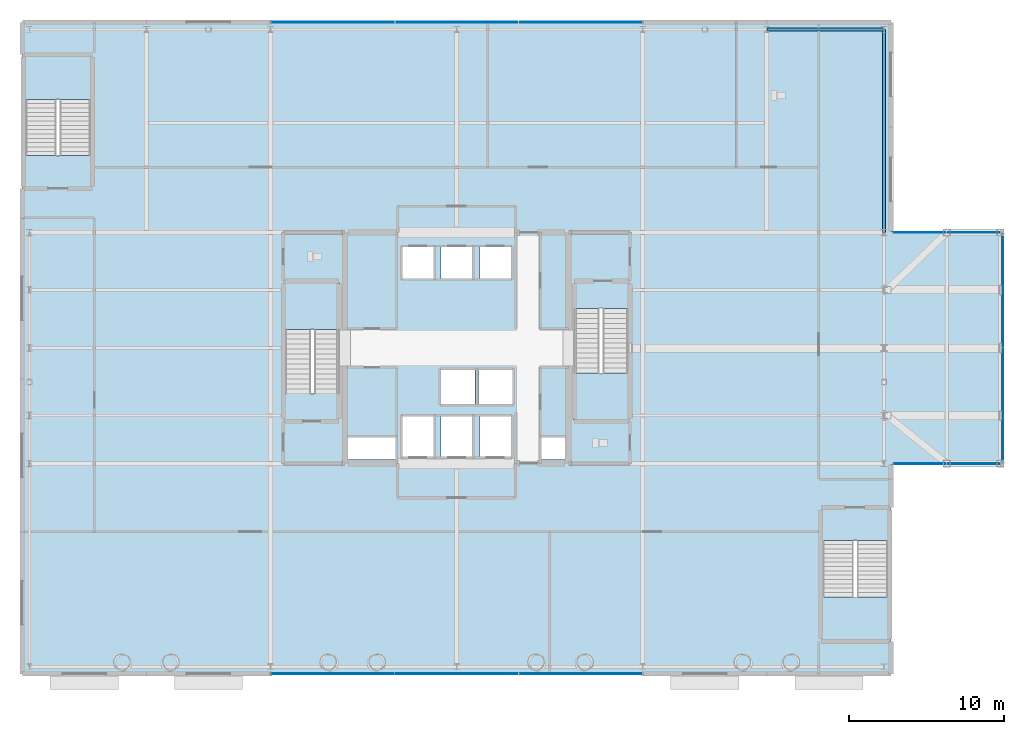
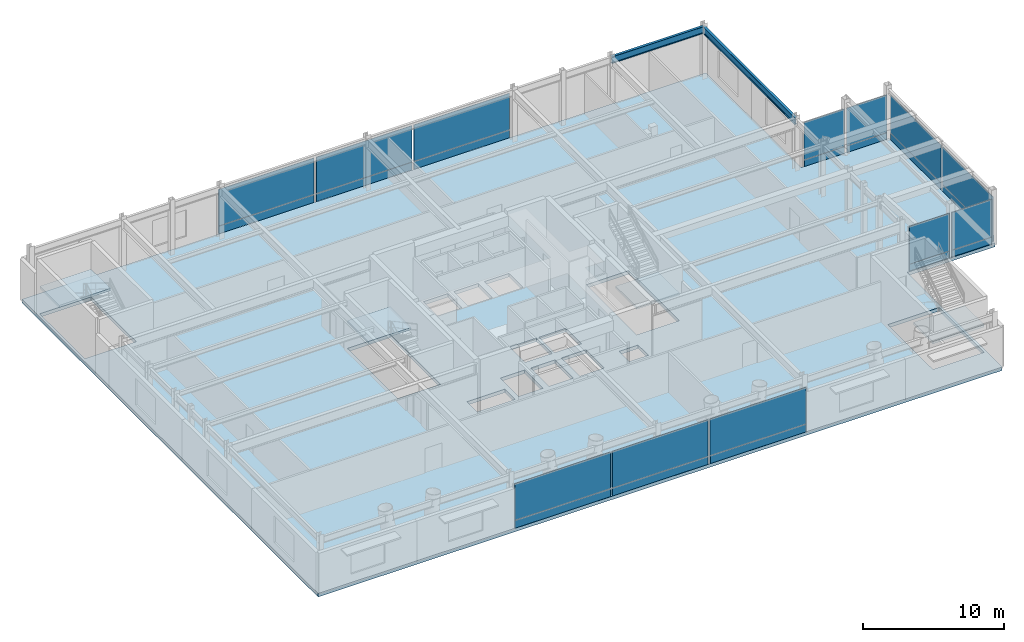
# One storey, part 17 of 26: 24 plates, 5 slabs, 2 beams, 9 elements without a shape of their own.
"""IFC4 building model written with IfcOpenShell, lengths in metres."""

from ifc_helpers import new_model, si_unit, direction, frame, origin, origin_2d, place, context, subcontext, project, spatial, polyline, rectangle, i_section, outline, extrude, material, layer, layer_set, material_profile, profile_set, type_object, element, aggregate, save


model = new_model("IFC4")

# Units and contexts
model_context = context("Model", 3, precision=1e-05, world=origin(), true_north=direction((0.0, 1.0)))
body_context = subcontext(model_context, "Body", "Model", "MODEL_VIEW")
ifc_project = project(units=[si_unit("LENGTHUNIT", "METRE"), si_unit("AREAUNIT", "SQUARE_METRE"), si_unit("VOLUMEUNIT", "CUBIC_METRE"), si_unit("PLANEANGLEUNIT", "RADIAN"), si_unit("MASSUNIT", "GRAM", prefix="KILO")], contexts=[model_context])

# Site, building, storey
site_placement = place(None, origin())
site = spatial("IfcSite", under=ifc_project, at=site_placement, CompositionType="ELEMENT")
building_placement = place(site_placement, origin())
building = spatial("IfcBuilding", under=site, at=building_placement, Name="Veldorina Hangang Commons", CompositionType="ELEMENT")
storey_placement = place(building_placement, frame((0.0, 0.0, 5.199951171875)))
storey = spatial("IfcBuildingStorey", under=building, at=storey_placement, Name="L01", CompositionType="ELEMENT", Elevation=5.199951171875)

# Beams
ifc_material_1 = material(Name="Steel SM420-TMC", Category="steel")
ifc_material_profile = material_profile(ifc_material_1, i_section(OverallWidth=0.199951171875, OverallDepth=0.60009765625, WebThickness=0.010986328125, FlangeThickness=0.01708984375, FilletRadius=0.01806640625, at=origin_2d()), Name="H-600x200x11x17")
ifc_profile_set = profile_set([ifc_material_profile], Name="Steel SM420-TMC")
beam_type = type_object("IfcBeamType", Name="BM-SPN600", PredefinedType="SPANDREL", material=ifc_profile_set)
beam_1_placement = place(storey_placement, frame((52.0, 44.550048828125, 4.199951171875), z_axis=(1.0, 0.0, 0.0), x_axis=(0.0, 1.0, 0.0)))
element("IfcBeam", 1, at=beam_1_placement, inside=storey, type_object=beam_type, Name="L01 north spandrel beam 6", PredefinedType="SPANDREL", context=body_context, shape_type="SweptSolid", body=[
    extrude(i_section(OverallWidth=0.199951171875, OverallDepth=0.60009765625, WebThickness=0.010986328125, FlangeThickness=0.01708984375, FilletRadius=0.01806640625, at=origin_2d()), origin(), (0.0, 0.0, 1.0), 7.550048828125),
])
beam_2_placement = place(storey_placement, frame((59.550048828125, 31.449951171875, 4.199951171875), z_axis=(0.0, 1.0, 0.0), x_axis=(-1.0, 0.0, 0.0)))
element("IfcBeam", 2, at=beam_2_placement, inside=storey, type_object=beam_type, Name="L01 east spandrel beam 6", PredefinedType="SPANDREL", context=body_context, shape_type="SweptSolid", body=[
    extrude(i_section(OverallWidth=0.199951171875, OverallDepth=0.60009765625, WebThickness=0.010986328125, FlangeThickness=0.01708984375, FilletRadius=0.01806640625, at=origin_2d()), origin(), (0.0, 0.0, 1.0), 13.10009765625),
])

# Curtain wall, plates
ifc_material_2 = material(Name="Glass Low-E Triple IGU", Category="glass")
ifc_layer_1 = layer(ifc_material_2, 0.179931640625)
ifc_layer_set_1 = layer_set([ifc_layer_1], Name="Glass Low-E Triple IGU")
curtain_wall_type_1 = type_object("IfcCurtainWallType", Name="CW-SYS-POD", PredefinedType="NOTDEFINED", material=ifc_layer_set_1)
curtain_wall_1_placement = place(storey_placement, origin())
curtain_wall_1 = element("IfcCurtainWall", 3, at=curtain_wall_1_placement, inside=storey, type_object=curtain_wall_type_1, Name="L01 unitised curtain wall CW-L01-S-CTR", PredefinedType="NOTDEFINED")
ifc_material_3 = material(Name="Stone Roman Travertine", Category="masonry")
ifc_layer_2 = layer(ifc_material_3, 0.054931640625)
ifc_layer_set_2 = layer_set([ifc_layer_2], Name="Stone Roman Travertine")
plate_type_1 = type_object("IfcPlateType", Name="CW-PNL-SPN", PredefinedType="USERDEFINED", material=ifc_layer_set_2)
plate_1_placement = place(storey_placement, frame((24.0, 3.0, 0.025146484375), z_axis=(0.0, 0.0, 1.0), x_axis=(1.0, 0.0, 0.0)))
plate_1 = element("IfcPlate", 4, at=plate_1_placement, type_object=plate_type_1, Name="CW-L01-S-CTR facet 1 travertine spandrel panel", ObjectType="SPANDREL", PredefinedType="USERDEFINED", context=body_context, shape_type="SweptSolid", body=[
    extrude(rectangle(XDim=7.820068359375, YDim=0.054931640625, at=origin_2d()), origin(), (0.0, 0.0, 1.0), 0.669921875),
])
plate_2_placement = place(storey_placement, frame((32.0, 3.0, 0.025146484375), z_axis=(0.0, 0.0, 1.0), x_axis=(1.0, 0.0, 0.0)))
plate_2 = element("IfcPlate", 5, at=plate_2_placement, type_object=plate_type_1, Name="CW-L01-S-CTR facet 2 travertine spandrel panel", ObjectType="SPANDREL", PredefinedType="USERDEFINED", context=body_context, shape_type="SweptSolid", body=[
    extrude(rectangle(XDim=7.820068359375, YDim=0.054931640625, at=origin_2d()), origin(), (0.0, 0.0, 1.0), 0.669921875),
])
plate_3_placement = place(storey_placement, frame((40.0, 3.0, 0.025146484375), z_axis=(0.0, 0.0, 1.0), x_axis=(1.0, 0.0, 0.0)))
plate_3 = element("IfcPlate", 6, at=plate_3_placement, type_object=plate_type_1, Name="CW-L01-S-CTR facet 3 travertine spandrel panel", ObjectType="SPANDREL", PredefinedType="USERDEFINED", context=body_context, shape_type="SweptSolid", body=[
    extrude(rectangle(XDim=7.820068359375, YDim=0.054931640625, at=origin_2d()), origin(), (0.0, 0.0, 1.0), 0.669921875),
])

curtain_wall_2_placement = place(storey_placement, origin())
curtain_wall_2 = element("IfcCurtainWall", 7, at=curtain_wall_2_placement, inside=storey, type_object=curtain_wall_type_1, Name="L01 unitised curtain wall CW-L01-N-CTR", PredefinedType="NOTDEFINED")
plate_4_placement = place(storey_placement, frame((40.0, 45.0, 0.025146484375), z_axis=(0.0, 0.0, 1.0), x_axis=(-1.0, 0.0, 0.0)))
plate_4 = element("IfcPlate", 8, at=plate_4_placement, type_object=plate_type_1, Name="CW-L01-N-CTR facet 1 travertine spandrel panel", ObjectType="SPANDREL", PredefinedType="USERDEFINED", context=body_context, shape_type="SweptSolid", body=[
    extrude(rectangle(XDim=7.820068359375, YDim=0.054931640625, at=origin_2d()), origin(), (0.0, 0.0, 1.0), 0.669921875),
])
plate_5_placement = place(storey_placement, frame((32.0, 45.0, 0.025146484375), z_axis=(0.0, 0.0, 1.0), x_axis=(-1.0, 0.0, 0.0)))
plate_5 = element("IfcPlate", 9, at=plate_5_placement, type_object=plate_type_1, Name="CW-L01-N-CTR facet 2 travertine spandrel panel", ObjectType="SPANDREL", PredefinedType="USERDEFINED", context=body_context, shape_type="SweptSolid", body=[
    extrude(rectangle(XDim=7.820068359375, YDim=0.054931640625, at=origin_2d()), origin(), (0.0, 0.0, 1.0), 0.669921875),
])
plate_6_placement = place(storey_placement, frame((24.0, 45.0, 0.025146484375), z_axis=(0.0, 0.0, 1.0), x_axis=(-1.0, 0.0, 0.0)))
plate_6 = element("IfcPlate", 10, at=plate_6_placement, type_object=plate_type_1, Name="CW-L01-N-CTR facet 3 travertine spandrel panel", ObjectType="SPANDREL", PredefinedType="USERDEFINED", context=body_context, shape_type="SweptSolid", body=[
    extrude(rectangle(XDim=7.820068359375, YDim=0.054931640625, at=origin_2d()), origin(), (0.0, 0.0, 1.0), 0.669921875),
])

ifc_material_4 = material(Name="Glass Low-E Solar Control", Category="glass")
ifc_layer_3 = layer(ifc_material_4, 0.179931640625)
ifc_layer_set_3 = layer_set([ifc_layer_3], Name="Glass Low-E Solar Control")
curtain_wall_type_2 = type_object("IfcCurtainWallType", Name="CW-SYS-CANT", PredefinedType="NOTDEFINED", material=ifc_layer_set_3)
curtain_wall_3_placement = place(storey_placement, origin())
curtain_wall_3 = element("IfcCurtainWall", 11, at=curtain_wall_3_placement, inside=storey, type_object=curtain_wall_type_2, Name="L01 unitised curtain wall CW-L01-CANT-S", PredefinedType="NOTDEFINED")
plate_7_placement = place(storey_placement, frame((61.860107421875, 16.550048828125, 0.02490234375), z_axis=(0.0, 0.0, 1.0), x_axis=(1.0, 0.0, 0.0)))
plate_7 = element("IfcPlate", 12, at=plate_7_placement, type_object=plate_type_1, Name="CW-L01-CANT-S facet 1 travertine spandrel panel", ObjectType="SPANDREL", PredefinedType="USERDEFINED", context=body_context, shape_type="SweptSolid", body=[
    extrude(rectangle(XDim=3.300048828125, YDim=0.054931640625, at=origin_2d()), origin(), (0.0, 0.0, 1.0), 0.570068359375),
])
plate_8_placement = place(storey_placement, frame((65.340087890625, 16.550048828125, 0.02490234375), z_axis=(0.0, 0.0, 1.0), x_axis=(1.0, 0.0, 0.0)))
plate_8 = element("IfcPlate", 13, at=plate_8_placement, type_object=plate_type_1, Name="CW-L01-CANT-S facet 2 travertine spandrel panel", ObjectType="SPANDREL", PredefinedType="USERDEFINED", context=body_context, shape_type="SweptSolid", body=[
    extrude(rectangle(XDim=3.300048828125, YDim=0.054931640625, at=origin_2d()), origin(), (0.0, 0.0, 1.0), 0.570068359375),
])

curtain_wall_4_placement = place(storey_placement, origin())
curtain_wall_4 = element("IfcCurtainWall", 14, at=curtain_wall_4_placement, inside=storey, type_object=curtain_wall_type_2, Name="L01 unitised curtain wall CW-L01-CANT-E", PredefinedType="NOTDEFINED")
plate_9_placement = place(storey_placement, frame((67.199951171875, 20.31005859375, 0.02490234375), z_axis=(0.0, 0.0, 1.0), x_axis=(0.0, 1.0, 0.0)))
plate_9 = element("IfcPlate", 15, at=plate_9_placement, type_object=plate_type_1, Name="CW-L01-CANT-E facet 1 travertine spandrel panel", ObjectType="SPANDREL", PredefinedType="USERDEFINED", context=body_context, shape_type="SweptSolid", body=[
    extrude(rectangle(XDim=7.199951171875, YDim=0.054931640625, at=origin_2d()), origin(), (0.0, 0.0, 1.0), 0.570068359375),
])
plate_10_placement = place(storey_placement, frame((67.199951171875, 27.68994140625, 0.02490234375), z_axis=(0.0, 0.0, 1.0), x_axis=(0.0, 1.0, 0.0)))
plate_10 = element("IfcPlate", 16, at=plate_10_placement, type_object=plate_type_1, Name="CW-L01-CANT-E facet 2 travertine spandrel panel", ObjectType="SPANDREL", PredefinedType="USERDEFINED", context=body_context, shape_type="SweptSolid", body=[
    extrude(rectangle(XDim=7.199951171875, YDim=0.054931640625, at=origin_2d()), origin(), (0.0, 0.0, 1.0), 0.570068359375),
])

curtain_wall_5_placement = place(storey_placement, origin())
curtain_wall_5 = element("IfcCurtainWall", 17, at=curtain_wall_5_placement, inside=storey, type_object=curtain_wall_type_2, Name="L01 unitised curtain wall CW-L01-CANT-N", PredefinedType="NOTDEFINED")
plate_11_placement = place(storey_placement, frame((65.340087890625, 31.449951171875, 0.02490234375), z_axis=(0.0, 0.0, 1.0), x_axis=(-1.0, 0.0, 0.0)))
plate_11 = element("IfcPlate", 18, at=plate_11_placement, type_object=plate_type_1, Name="CW-L01-CANT-N facet 1 travertine spandrel panel", ObjectType="SPANDREL", PredefinedType="USERDEFINED", context=body_context, shape_type="SweptSolid", body=[
    extrude(rectangle(XDim=3.300048828125, YDim=0.054931640625, at=origin_2d()), origin(), (0.0, 0.0, 1.0), 0.570068359375),
])
plate_12_placement = place(storey_placement, frame((61.860107421875, 31.449951171875, 0.02490234375), z_axis=(0.0, 0.0, 1.0), x_axis=(-1.0, 0.0, 0.0)))
plate_12 = element("IfcPlate", 19, at=plate_12_placement, type_object=plate_type_1, Name="CW-L01-CANT-N facet 2 travertine spandrel panel", ObjectType="SPANDREL", PredefinedType="USERDEFINED", context=body_context, shape_type="SweptSolid", body=[
    extrude(rectangle(XDim=3.300048828125, YDim=0.054931640625, at=origin_2d()), origin(), (0.0, 0.0, 1.0), 0.570068359375),
])

# Plate
ifc_layer_4 = layer(ifc_material_2, 0.0400390625)
ifc_layer_set_4 = layer_set([ifc_layer_4], Name="Glass Low-E Triple IGU")
plate_type_2 = type_object("IfcPlateType", Name="CW-PNL-VIS", PredefinedType="CURTAIN_PANEL", material=ifc_layer_set_4)
plate_13_placement = place(storey_placement, frame((24.0, 3.0, 0.715087890625), z_axis=(0.0, 0.0, 1.0), x_axis=(1.0, 0.0, 0.0)))
plate_13 = element("IfcPlate", 20, at=plate_13_placement, type_object=plate_type_2, Name="CW-L01-S-CTR facet 1 glazed vision panel", PredefinedType="CURTAIN_PANEL", context=body_context, shape_type="SweptSolid", body=[
    extrude(rectangle(XDim=7.820068359375, YDim=0.0400390625, at=origin_2d()), origin(), (0.0, 0.0, 1.0), 3.14990234375),
])

plate_14_placement = place(storey_placement, frame((32.0, 3.0, 0.715087890625), z_axis=(0.0, 0.0, 1.0), x_axis=(1.0, 0.0, 0.0)))
plate_14 = element("IfcPlate", 21, at=plate_14_placement, type_object=plate_type_2, Name="CW-L01-S-CTR facet 2 glazed vision panel", PredefinedType="CURTAIN_PANEL", context=body_context, shape_type="SweptSolid", body=[
    extrude(rectangle(XDim=7.820068359375, YDim=0.0400390625, at=origin_2d()), origin(), (0.0, 0.0, 1.0), 3.14990234375),
])

plate_15_placement = place(storey_placement, frame((40.0, 3.0, 0.715087890625), z_axis=(0.0, 0.0, 1.0), x_axis=(1.0, 0.0, 0.0)))
plate_15 = element("IfcPlate", 22, at=plate_15_placement, type_object=plate_type_2, Name="CW-L01-S-CTR facet 3 glazed vision panel", PredefinedType="CURTAIN_PANEL", context=body_context, shape_type="SweptSolid", body=[
    extrude(rectangle(XDim=7.820068359375, YDim=0.0400390625, at=origin_2d()), origin(), (0.0, 0.0, 1.0), 3.14990234375),
])

aggregate(curtain_wall_1, [plate_1, plate_13, plate_2, plate_14, plate_3, plate_15])

plate_16_placement = place(storey_placement, frame((40.0, 45.0, 0.715087890625), z_axis=(0.0, 0.0, 1.0), x_axis=(-1.0, 0.0, 0.0)))
plate_16 = element("IfcPlate", 23, at=plate_16_placement, type_object=plate_type_2, Name="CW-L01-N-CTR facet 1 glazed vision panel", PredefinedType="CURTAIN_PANEL", context=body_context, shape_type="SweptSolid", body=[
    extrude(rectangle(XDim=7.820068359375, YDim=0.0400390625, at=origin_2d()), origin(), (0.0, 0.0, 1.0), 3.14990234375),
])

plate_17_placement = place(storey_placement, frame((32.0, 45.0, 0.715087890625), z_axis=(0.0, 0.0, 1.0), x_axis=(-1.0, 0.0, 0.0)))
plate_17 = element("IfcPlate", 24, at=plate_17_placement, type_object=plate_type_2, Name="CW-L01-N-CTR facet 2 glazed vision panel", PredefinedType="CURTAIN_PANEL", context=body_context, shape_type="SweptSolid", body=[
    extrude(rectangle(XDim=7.820068359375, YDim=0.0400390625, at=origin_2d()), origin(), (0.0, 0.0, 1.0), 3.14990234375),
])

plate_18_placement = place(storey_placement, frame((24.0, 45.0, 0.715087890625), z_axis=(0.0, 0.0, 1.0), x_axis=(-1.0, 0.0, 0.0)))
plate_18 = element("IfcPlate", 25, at=plate_18_placement, type_object=plate_type_2, Name="CW-L01-N-CTR facet 3 glazed vision panel", PredefinedType="CURTAIN_PANEL", context=body_context, shape_type="SweptSolid", body=[
    extrude(rectangle(XDim=7.820068359375, YDim=0.0400390625, at=origin_2d()), origin(), (0.0, 0.0, 1.0), 3.14990234375),
])

aggregate(curtain_wall_2, [plate_4, plate_16, plate_5, plate_17, plate_6, plate_18])

plate_19_placement = place(storey_placement, frame((61.860107421875, 16.550048828125, 0.614990234375), z_axis=(0.0, 0.0, 1.0), x_axis=(1.0, 0.0, 0.0)))
plate_19 = element("IfcPlate", 26, at=plate_19_placement, type_object=plate_type_2, Name="CW-L01-CANT-S facet 1 glazed vision panel", PredefinedType="CURTAIN_PANEL", context=body_context, shape_type="SweptSolid", body=[
    extrude(rectangle(XDim=3.300048828125, YDim=0.0400390625, at=origin_2d()), origin(), (0.0, 0.0, 1.0), 3.25),
])

plate_20_placement = place(storey_placement, frame((65.340087890625, 16.550048828125, 0.614990234375), z_axis=(0.0, 0.0, 1.0), x_axis=(1.0, 0.0, 0.0)))
plate_20 = element("IfcPlate", 27, at=plate_20_placement, type_object=plate_type_2, Name="CW-L01-CANT-S facet 2 glazed vision panel", PredefinedType="CURTAIN_PANEL", context=body_context, shape_type="SweptSolid", body=[
    extrude(rectangle(XDim=3.300048828125, YDim=0.0400390625, at=origin_2d()), origin(), (0.0, 0.0, 1.0), 3.25),
])

aggregate(curtain_wall_3, [plate_7, plate_19, plate_8, plate_20])

plate_21_placement = place(storey_placement, frame((67.199951171875, 20.31005859375, 0.614990234375), z_axis=(0.0, 0.0, 1.0), x_axis=(0.0, 1.0, 0.0)))
plate_21 = element("IfcPlate", 28, at=plate_21_placement, type_object=plate_type_2, Name="CW-L01-CANT-E facet 1 glazed vision panel", PredefinedType="CURTAIN_PANEL", context=body_context, shape_type="SweptSolid", body=[
    extrude(rectangle(XDim=7.199951171875, YDim=0.0400390625, at=origin_2d()), origin(), (0.0, 0.0, 1.0), 3.25),
])

plate_22_placement = place(storey_placement, frame((67.199951171875, 27.68994140625, 0.614990234375), z_axis=(0.0, 0.0, 1.0), x_axis=(0.0, 1.0, 0.0)))
plate_22 = element("IfcPlate", 29, at=plate_22_placement, type_object=plate_type_2, Name="CW-L01-CANT-E facet 2 glazed vision panel", PredefinedType="CURTAIN_PANEL", context=body_context, shape_type="SweptSolid", body=[
    extrude(rectangle(XDim=7.199951171875, YDim=0.0400390625, at=origin_2d()), origin(), (0.0, 0.0, 1.0), 3.25),
])

aggregate(curtain_wall_4, [plate_9, plate_21, plate_10, plate_22])

plate_23_placement = place(storey_placement, frame((65.340087890625, 31.449951171875, 0.614990234375), z_axis=(0.0, 0.0, 1.0), x_axis=(-1.0, 0.0, 0.0)))
plate_23 = element("IfcPlate", 30, at=plate_23_placement, type_object=plate_type_2, Name="CW-L01-CANT-N facet 1 glazed vision panel", PredefinedType="CURTAIN_PANEL", context=body_context, shape_type="SweptSolid", body=[
    extrude(rectangle(XDim=3.300048828125, YDim=0.0400390625, at=origin_2d()), origin(), (0.0, 0.0, 1.0), 3.25),
])

plate_24_placement = place(storey_placement, frame((61.860107421875, 31.449951171875, 0.614990234375), z_axis=(0.0, 0.0, 1.0), x_axis=(-1.0, 0.0, 0.0)))
plate_24 = element("IfcPlate", 31, at=plate_24_placement, type_object=plate_type_2, Name="CW-L01-CANT-N facet 2 glazed vision panel", PredefinedType="CURTAIN_PANEL", context=body_context, shape_type="SweptSolid", body=[
    extrude(rectangle(XDim=3.300048828125, YDim=0.0400390625, at=origin_2d()), origin(), (0.0, 0.0, 1.0), 3.25),
])

aggregate(curtain_wall_5, [plate_11, plate_23, plate_12, plate_24])

# Slab
ifc_material_5 = material(Name="Concrete C45/55", Category="concrete")
ifc_layer_5 = layer(ifc_material_5, 0.300048828125)
ifc_layer_set_5 = layer_set([ifc_layer_5], Name="Concrete C45/55")
slab_type_1 = type_object("IfcSlabType", Name="SL-FLR-300", PredefinedType="FLOOR", material=ifc_layer_set_5)
slab_1_placement = place(storey_placement, frame((0.0, 0.0, -0.300048828125)))
element("IfcSlab", 32, at=slab_1_placement, inside=storey, type_object=slab_type_1, Name="L01 podium structural floor slab", PredefinedType="FLOOR", context=body_context, shape_type="SweptSolid", body=[
    extrude(outline(polyline([(4.0, 3.0), (60.0, 3.0), (60.0, 16.5), (67.199951171875, 16.5), (67.199951171875, 31.5), (60.0, 31.5), (60.0, 45.0), (4.0, 45.0), (4.0, 3.0)]), holes=[polyline([(20.949951171875, 21.05810546875), (20.949951171875, 28.199951171875), (24.449951171875, 28.199951171875), (24.449951171875, 21.05810546875), (20.949951171875, 21.05810546875)]), polyline([(43.050048828125, 26.5419921875), (43.050048828125, 19.39990234375), (39.550048828125, 19.39990234375), (39.550048828125, 26.5419921875), (43.050048828125, 26.5419921875)]), polyline([(4.199951171875, 36.407958984375), (4.199951171875, 42.800048828125), (8.39990234375, 42.800048828125), (8.39990234375, 36.407958984375), (4.199951171875, 36.407958984375)]), polyline([(59.800048828125, 11.592041015625), (59.800048828125, 5.199951171875), (55.60009765625, 5.199951171875), (55.60009765625, 11.592041015625), (59.800048828125, 11.592041015625)]), polyline([(28.5, 30.5), (30.5, 30.5), (30.5, 28.5), (28.5, 28.5), (28.5, 30.5)]), polyline([(31.0, 30.5), (33.0, 30.5), (33.0, 28.5), (31.0, 28.5), (31.0, 30.5)]), polyline([(33.5, 30.5), (35.5, 30.5), (35.5, 28.5), (33.5, 28.5), (33.5, 30.5)]), polyline([(31.0, 22.60009765625), (33.199951171875, 22.60009765625), (33.199951171875, 20.39990234375), (31.0, 20.39990234375), (31.0, 22.60009765625)]), polyline([(33.39990234375, 22.60009765625), (35.60009765625, 22.60009765625), (35.60009765625, 20.39990234375), (33.39990234375, 20.39990234375), (33.39990234375, 22.60009765625)]), polyline([(28.5, 19.60009765625), (30.5, 19.60009765625), (30.5, 17.0), (28.5, 17.0), (28.5, 19.60009765625)]), polyline([(31.0, 19.60009765625), (33.0, 19.60009765625), (33.0, 17.0), (31.0, 17.0), (31.0, 19.60009765625)]), polyline([(33.5, 19.60009765625), (35.5, 19.60009765625), (35.5, 17.0), (33.5, 17.0), (33.5, 19.60009765625)]), polyline([(25.0, 18.25), (28.10009765625, 18.25), (28.10009765625, 16.800048828125), (25.0, 16.800048828125), (25.0, 18.25)]), polyline([(37.449951171875, 18.25), (39.0, 18.25), (39.0, 16.800048828125), (37.449951171875, 16.800048828125), (37.449951171875, 18.25)])]), origin(), (0.0, 0.0, 1.0), 0.300048828125),
])

# Stair, slab
ifc_material_6 = material(Name="Concrete C40/50", Category="concrete")
stair_type_1 = type_object("IfcStairType", Name="STR-DOG-1650-28R", PredefinedType="HALF_TURN_STAIR", material=ifc_material_6)
stair_1_placement = place(storey_placement, origin())
stair_1 = element("IfcStair", 33, at=stair_1_placement, inside=storey, type_object=stair_type_1, Name="L01 Exit stair ST-1", PredefinedType="HALF_TURN_STAIR")
ifc_layer_6 = layer(ifc_material_6, 0.199951171875)
ifc_layer_set_6 = layer_set([ifc_layer_6], Name="Concrete C40/50")
slab_type_2 = type_object("IfcSlabType", Name="SL-LND-200", PredefinedType="LANDING", material=ifc_layer_set_6)
slab_2_placement = place(storey_placement, frame((0.0, 0.0, 2.199951171875)))
slab_2 = element("IfcSlab", 34, at=slab_2_placement, type_object=slab_type_2, Name="ST-1 landing 1", PredefinedType="LANDING", context=body_context, shape_type="SweptSolid", body=[
    extrude(outline(polyline([(24.449951171875, 25.2099609375), (24.449951171875, 28.199951171875), (20.949951171875, 28.199951171875), (20.949951171875, 25.2099609375), (24.449951171875, 25.2099609375)])), origin(), (0.0, 0.0, 1.0), 0.2001953125),
])
aggregate(stair_1, [slab_2])

stair_2_placement = place(storey_placement, origin())
stair_2 = element("IfcStair", 35, at=stair_2_placement, inside=storey, type_object=stair_type_1, Name="L01 Exit stair ST-2", PredefinedType="HALF_TURN_STAIR")
slab_3_placement = place(storey_placement, frame((0.0, 0.0, 2.199951171875)))
slab_3 = element("IfcSlab", 36, at=slab_3_placement, type_object=slab_type_2, Name="ST-2 landing 1", PredefinedType="LANDING", context=body_context, shape_type="SweptSolid", body=[
    extrude(outline(polyline([(39.550048828125, 22.389892578125), (39.550048828125, 19.39990234375), (43.050048828125, 19.39990234375), (43.050048828125, 22.389892578125), (39.550048828125, 22.389892578125)])), origin(), (0.0, 0.0, 1.0), 0.2001953125),
])
aggregate(stair_2, [slab_3])

stair_type_2 = type_object("IfcStairType", Name="STR-DOG-2000-28R", PredefinedType="HALF_TURN_STAIR", material=ifc_material_6)
stair_3_placement = place(storey_placement, origin())
stair_3 = element("IfcStair", 37, at=stair_3_placement, inside=storey, type_object=stair_type_2, Name="L01 Exit stair ST-P1", PredefinedType="HALF_TURN_STAIR")
slab_4_placement = place(storey_placement, frame((0.0, 0.0, 2.199951171875)))
slab_4 = element("IfcSlab", 38, at=slab_4_placement, type_object=slab_type_2, Name="ST-P1 landing 1", PredefinedType="LANDING", context=body_context, shape_type="SweptSolid", body=[
    extrude(outline(polyline([(8.39990234375, 40.0400390625), (8.39990234375, 42.800048828125), (4.199951171875, 42.800048828125), (4.199951171875, 40.0400390625), (8.39990234375, 40.0400390625)])), origin(), (0.0, 0.0, 1.0), 0.2001953125),
])
aggregate(stair_3, [slab_4])

stair_4_placement = place(storey_placement, origin())
stair_4 = element("IfcStair", 39, at=stair_4_placement, inside=storey, type_object=stair_type_2, Name="L01 Exit stair ST-P2", PredefinedType="HALF_TURN_STAIR")
slab_5_placement = place(storey_placement, frame((0.0, 0.0, 2.199951171875)))
slab_5 = element("IfcSlab", 40, at=slab_5_placement, type_object=slab_type_2, Name="ST-P2 landing 1", PredefinedType="LANDING", context=body_context, shape_type="SweptSolid", body=[
    extrude(outline(polyline([(55.60009765625, 7.9599609375), (55.60009765625, 5.199951171875), (59.800048828125, 5.199951171875), (59.800048828125, 7.9599609375), (55.60009765625, 7.9599609375)])), origin(), (0.0, 0.0, 1.0), 0.2001953125),
])
aggregate(stair_4, [slab_5])

save(model, "model.ifc")
